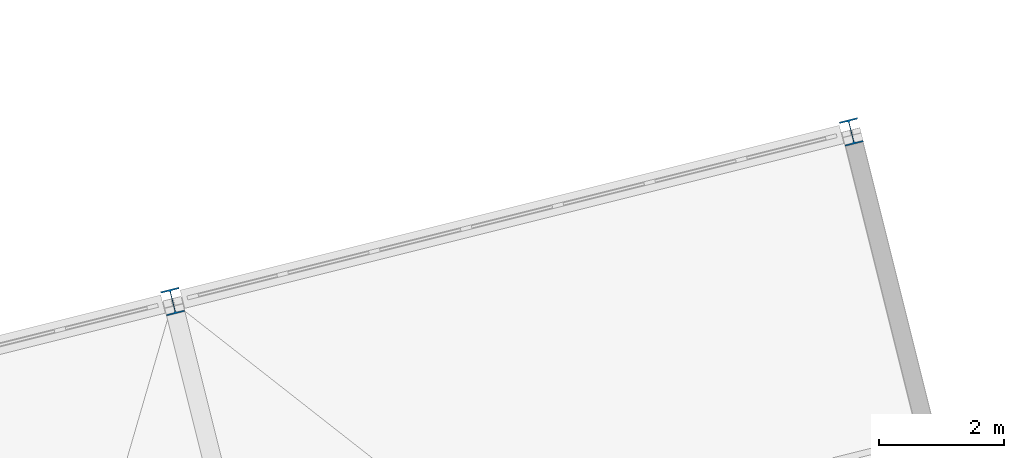
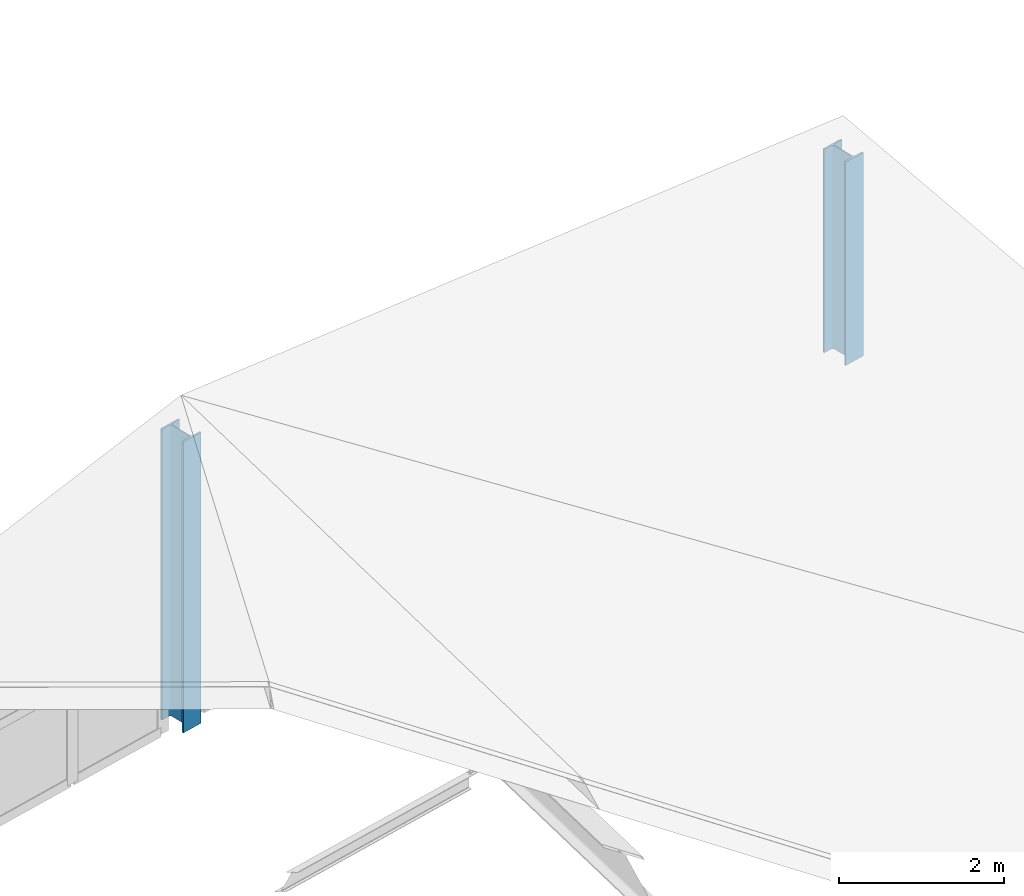
# One storey, part 3 of 47: 2 columns.
"""IFC4 building model written with IfcOpenShell, lengths in metres."""

from ifc_helpers import new_model, si_unit, direction, frame, origin, origin_2d, place, context, subcontext, project, spatial, i_section, extrude, material, material_profile, profile_set, type_object, element, save


model = new_model("IFC4")

# Units and contexts
model_context = context("Model", 3, precision=1e-05, world=origin(), true_north=direction((0.0, 1.0)))
body_context = subcontext(model_context, "Body", "Model", "MODEL_VIEW")
ifc_project = project(units=[si_unit("LENGTHUNIT", "METRE"), si_unit("AREAUNIT", "SQUARE_METRE"), si_unit("VOLUMEUNIT", "CUBIC_METRE"), si_unit("PLANEANGLEUNIT", "RADIAN"), si_unit("MASSUNIT", "GRAM", prefix="KILO")], contexts=[model_context])

# Site, building, storey
site_placement = place(None, origin())
site = spatial("IfcSite", under=ifc_project, at=site_placement, CompositionType="ELEMENT")
building_placement = place(site_placement, origin())
building = spatial("IfcBuilding", under=site, at=building_placement, Name="Nordkorset Police Headquarters", CompositionType="ELEMENT")
storey_placement = place(building_placement, frame((0.0, 0.0, 22.050048828125)))
storey = spatial("IfcBuildingStorey", under=building, at=storey_placement, Name="L05", CompositionType="ELEMENT", Elevation=22.050048828125)

# Columns
ifc_material = material(Name="Steel S355J2", Category="steel")
ifc_material_profile = material_profile(ifc_material, i_section(OverallWidth=0.300048828125, OverallDepth=0.39990234375, WebThickness=0.013427734375, FlangeThickness=0.02392578125, FilletRadius=0.027099609375, at=origin_2d()), Name="HEB 400")
ifc_profile_set = profile_set([ifc_material_profile], Name="Steel S355J2")
column_type = type_object("IfcColumnType", Name="Col_HEB_400", PredefinedType="COLUMN", material=ifc_profile_set)
column_1_placement = place(storey_placement, frame((48.047607421875, 62.955078125, 0.0), z_axis=(0.0, 0.0, 1.0), x_axis=(0.970142500145, 0.242535625038, 0.0)))
element("IfcColumn", 1, at=column_1_placement, inside=storey, type_object=column_type, Name="Splayed Wing Clerestory Roof Column V4_U3_V1 L05", PredefinedType="COLUMN", context=body_context, shape_type="SweptSolid", body=[
    extrude(i_section(OverallWidth=0.300048828125, OverallDepth=0.39990234375, WebThickness=0.013427734375, FlangeThickness=0.02392578125, FilletRadius=0.027099609375, at=origin_2d()), origin(), (0.0, 0.0, 1.0), 4.320068359375),
])
column_2_placement = place(storey_placement, frame((58.9130859375, 65.67138671875, 0.0), z_axis=(0.0, 0.0, 1.0), x_axis=(0.970142500145, 0.242535625038, 0.0)))
element("IfcColumn", 2, at=column_2_placement, inside=storey, type_object=column_type, Name="Splayed Wing Clerestory Roof Column V4_U4_V1 L05", PredefinedType="COLUMN", context=body_context, shape_type="SweptSolid", body=[
    extrude(i_section(OverallWidth=0.300048828125, OverallDepth=0.39990234375, WebThickness=0.013427734375, FlangeThickness=0.02392578125, FilletRadius=0.027099609375, at=origin_2d()), origin(), (0.0, 0.0, 1.0), 3.02001953125),
])

save(model, "model.ifc")
